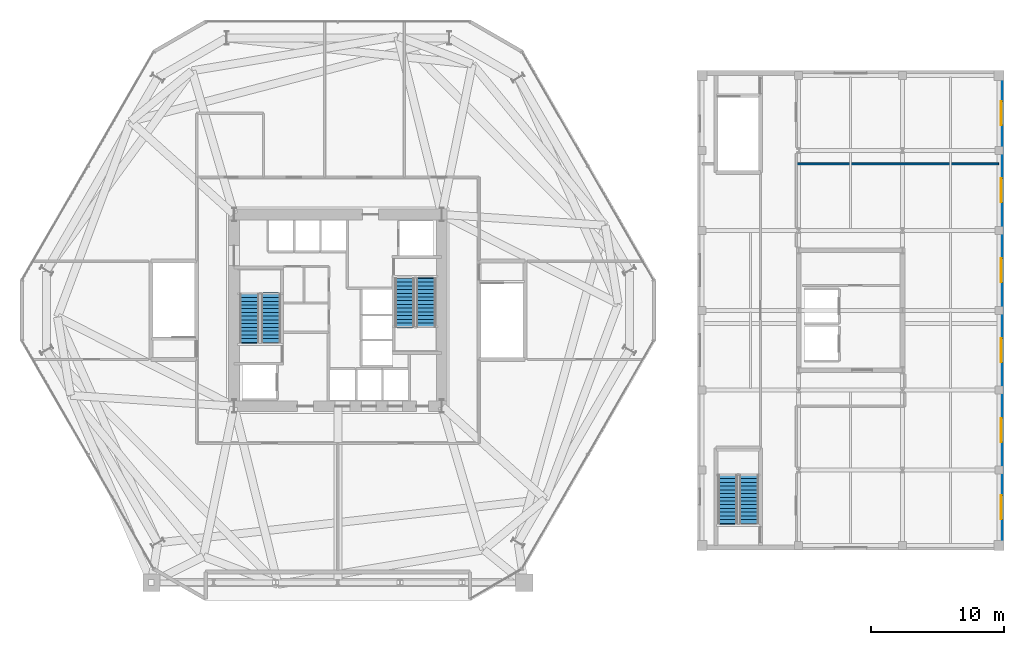
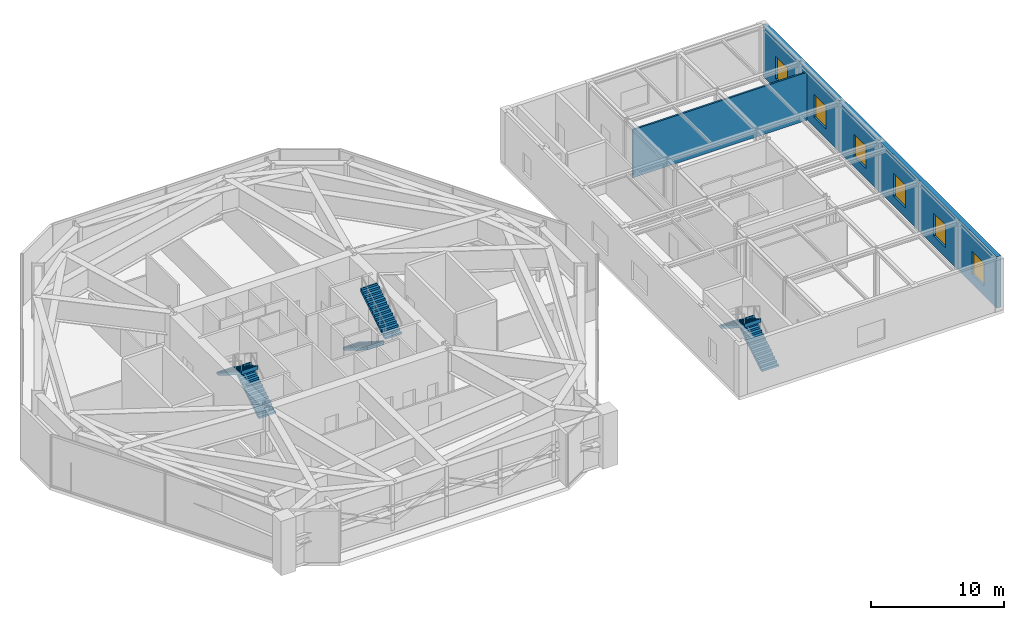
# One storey, part 14 of 16: 6 stair flights, 6 windows, 2 walls, 6 openings, 3 elements without a shape of their own.
"""IFC4 building model written with IfcOpenShell, lengths in metres."""

import ifcopenshell
import ifcopenshell.guid

model = None  # the IFC model being written
_history = None  # IfcOwnerHistory: only IFC2X3 demands one
_inside = {}  # id of a spatial element -> (the spatial element, [elements in it])
_under = {}  # id of a project, library or spatial element -> (it, [spatial elements below it])
_declared = {}  # id of a project -> (the project, [libraries it declares])
_typed = {}  # id of a type object -> (the type object, [elements of that type])
_made_of = {}  # id of a material, layer set ... -> (it, [elements and type objects made of it])


def new_model(schema):
    """Start an empty IFC model of exactly this schema.

    Asked for "IFC4X3", IfcOpenShell would pick the latest addendum, in which some entities
    have other attributes; the version numbers below select the first issue.
    IFC2X3 requires an IfcOwnerHistory on every rooted entity: one is made here for all.
    """
    global model, _history
    if schema == "IFC4X3":
        model = ifcopenshell.file(schema_version=(4, 3, 0, 0))
    else:
        model = ifcopenshell.file(schema=schema)
    _inside.clear()
    _under.clear()
    _declared.clear()
    _typed.clear()
    _made_of.clear()
    _history = None
    if model.schema == "IFC2X3":
        org = make("IfcOrganization", Name="unknown")
        user = make(
            "IfcPersonAndOrganization",
            ThePerson=make("IfcPerson", FamilyName="unknown"),
            TheOrganization=org,
        )
        app = make(
            "IfcApplication",
            ApplicationDeveloper=org,
            Version="unknown",
            ApplicationFullName="unknown",
            ApplicationIdentifier="unknown",
        )
        _history = make(
            "IfcOwnerHistory",
            OwningUser=user,
            OwningApplication=app,
            ChangeAction="ADDED",
            CreationDate=0,
        )
    return model


def make(cls, **values):
    """One entity of the class cls with the attributes given. An attribute that is None is left unset."""
    return model.create_entity(
        cls, **{name: value for name, value in values.items() if value is not None}
    )


def rooted(cls, **values):
    """An entity with a GlobalId (a new one), such as an element, a storey or a relation."""
    return make(cls, GlobalId=ifcopenshell.guid.new(), OwnerHistory=_history, **values)


def si_unit(unit_type, name, prefix=None):
    """IfcSIUnit, for example si_unit("LENGTHUNIT", "METRE", prefix="MILLI")."""
    return make("IfcSIUnit", UnitType=unit_type, Prefix=prefix, Name=name)


def assignment(units):
    """IfcUnitAssignment: the units of a project."""
    return None if units is None else make("IfcUnitAssignment", Units=units)


def point(xyz):
    """IfcCartesianPoint."""
    return None if xyz is None else make("IfcCartesianPoint", Coordinates=xyz)


def direction(xyz):
    """IfcDirection."""
    return None if xyz is None else make("IfcDirection", DirectionRatios=xyz)


def frame(location, z_axis=None, x_axis=None):
    """IfcAxis2Placement3D, a coordinate frame: its origin and axes. An axis left out is left unset."""
    return make(
        "IfcAxis2Placement3D",
        Location=point(location),
        Axis=direction(z_axis),
        RefDirection=direction(x_axis),
    )


def frame_2d(location, x_axis=None):
    """IfcAxis2Placement2D, a coordinate frame in the plane: its origin and x axis."""
    return make(
        "IfcAxis2Placement2D", Location=point(location), RefDirection=direction(x_axis)
    )


def origin():
    """The frame at (0, 0, 0) with its axes left unset."""
    return frame((0.0, 0.0, 0.0))


def place(relative_to, where):
    """IfcLocalPlacement: puts the frame where relative to a parent placement (None: the world)."""
    return make(
        "IfcLocalPlacement", PlacementRelTo=relative_to, RelativePlacement=where
    )


def context(
    kind, dimensions, precision=None, world=None, true_north=None, identifier=None
):
    """IfcGeometricRepresentationContext, for example the 3D "Model" context."""
    return make(
        "IfcGeometricRepresentationContext",
        ContextIdentifier=identifier,
        ContextType=kind,
        CoordinateSpaceDimension=dimensions,
        Precision=precision,
        WorldCoordinateSystem=world,
        TrueNorth=true_north,
    )


def subcontext(parent, identifier, kind, view, scale=None):
    """IfcGeometricRepresentationSubContext, for example "Body" below "Model"."""
    return make(
        "IfcGeometricRepresentationSubContext",
        ContextIdentifier=identifier,
        ContextType=kind,
        ParentContext=parent,
        TargetScale=scale,
        TargetView=view,
    )


def project(units=None, contexts=None):
    """IfcProject with its units and contexts."""
    return rooted(
        "IfcProject",
        Name="project",
        RepresentationContexts=contexts,
        UnitsInContext=assignment(units),
    )


def spatial(cls, under=None, at=None, **own):
    """A site, building, storey or space (cls), placed at a placement, below another one or the project."""
    s = rooted(cls, ObjectPlacement=at, **own)
    if under is not None:
        _under.setdefault(under.id(), (under, []))[1].append(s)
    return s


def polyline(points):
    """IfcPolyline through the points."""
    return make("IfcPolyline", Points=[point(p) for p in points])


def profile(cls, at=None, kind="AREA", **sizes):
    """A parametric profile (cls). Its sizes go by their IFC names, for example OverallWidth=200.0."""
    return make(cls, ProfileType=kind, Position=at, **sizes)


def rectangle(**sizes):
    """IfcRectangleProfileDef."""
    return profile("IfcRectangleProfileDef", **sizes)


def outline(outer, holes=None, kind="AREA"):
    """IfcArbitraryClosedProfileDef: a profile drawn as a closed curve; with holes, ...WithVoids."""
    if holes is None:
        return make("IfcArbitraryClosedProfileDef", ProfileType=kind, OuterCurve=outer)
    return make(
        "IfcArbitraryProfileDefWithVoids",
        ProfileType=kind,
        OuterCurve=outer,
        InnerCurves=holes,
    )


def extrude(swept, where, along, depth):
    """IfcExtrudedAreaSolid: the profile swept, set in the frame where, extruded along a direction by depth."""
    return make(
        "IfcExtrudedAreaSolid",
        SweptArea=swept,
        Position=where,
        ExtrudedDirection=direction(along),
        Depth=depth,
    )


def shape(context_of_items, identifier, shape_type, items):
    """IfcShapeRepresentation: the items that make up one representation, for example the "Body"."""
    return make(
        "IfcShapeRepresentation",
        ContextOfItems=context_of_items,
        RepresentationIdentifier=identifier,
        RepresentationType=shape_type,
        Items=items,
    )


def material(Name=None, Category=None):
    """IfcMaterial."""
    return make("IfcMaterial", Name=Name, Category=Category)


def layer(
    of_material, thickness, ventilated=None, Name=None, Category=None, Priority=None
):
    """IfcMaterialLayer: one layer of a wall or slab, of a material (None: an air gap)."""
    return make(
        "IfcMaterialLayer",
        Material=of_material,
        LayerThickness=thickness,
        IsVentilated=ventilated,
        Name=Name,
        Category=Category,
        Priority=Priority,
    )


def layer_set(layers, Name=None):
    """IfcMaterialLayerSet."""
    return make("IfcMaterialLayerSet", MaterialLayers=layers, LayerSetName=Name)


def made_of(thing, what):
    """Note that an element or type object is made of a material, layer set ...; save() writes the relation."""
    if what is not None:
        _made_of.setdefault(what.id(), (what, []))[1].append(thing)
    return thing


def type_object(cls, material=None, **own):
    """A type object (cls), such as IfcWallType, which elements share."""
    return made_of(rooted(cls, **own), material)


def element(
    cls,
    number,
    at=None,
    inside=None,
    cuts=None,
    type_object=None,
    material=None,
    context=None,
    identifier="Body",
    shape_type=None,
    held_by="IfcProductDefinitionShape",
    body=None,
    shapes=None,
    **own,
):
    """One element of the class cls, such as IfcWall. Its Tag is "e" and its number.

    at: its placement. inside: the storey or other place that contains it. cuts: it is an
    opening in that element (IfcRelVoidsElement). A single representation is given by context,
    identifier, shape_type and body (its items); several are given by shapes. held_by: the class
    of the entity that holds the representations. save() writes the other relations.
    """
    e = rooted(cls, Tag="e%d" % number, ObjectPlacement=at, **own)
    if body is not None:
        shapes = [shape(context, identifier, shape_type, body)]
    if shapes is not None:
        e.Representation = make(held_by, Representations=shapes)
    if inside is not None:
        _inside.setdefault(inside.id(), (inside, []))[1].append(e)
    if cuts is not None:
        rooted(
            "IfcRelVoidsElement", RelatingBuildingElement=cuts, RelatedOpeningElement=e
        )
    if type_object is not None:
        _typed.setdefault(type_object.id(), (type_object, []))[1].append(e)
    return made_of(e, material)


def fill(opening, filler):
    """IfcRelFillsElement: the door or window that sits in an opening."""
    return rooted(
        "IfcRelFillsElement",
        RelatingOpeningElement=opening,
        RelatedBuildingElement=filler,
    )


def aggregate(whole, parts):
    """IfcRelAggregates: a whole, such as a stair, and the parts it consists of."""
    return rooted("IfcRelAggregates", RelatingObject=whole, RelatedObjects=parts)


def save(model, path):
    """Write the relations noted so far, then the file.

    IfcRelAggregates (storeys below a building ...), IfcRelContainedInSpatialStructure (elements
    in a storey), IfcRelDefinesByType, IfcRelAssociatesMaterial and IfcRelDeclares: one each for
    every whole, place, type object, material and project.
    """
    for whole, parts in _under.values():
        aggregate(whole, parts)
    for where, things in _inside.values():
        rooted(
            "IfcRelContainedInSpatialStructure",
            RelatedElements=things,
            RelatingStructure=where,
        )
    for kind, things in _typed.values():
        rooted("IfcRelDefinesByType", RelatedObjects=things, RelatingType=kind)
    for what, things in _made_of.values():
        rooted("IfcRelAssociatesMaterial", RelatedObjects=things, RelatingMaterial=what)
    for by, libraries in _declared.values():
        rooted("IfcRelDeclares", RelatingContext=by, RelatedDefinitions=libraries)
    model.write(path)


model = new_model("IFC4")

# Units and contexts
model_context = context("Model", 3, precision=1e-05, world=origin(), true_north=direction((0.0, 1.0)))
body_context = subcontext(model_context, "Body", "Model", "MODEL_VIEW")
ifc_project = project(units=[si_unit("LENGTHUNIT", "METRE"), si_unit("AREAUNIT", "SQUARE_METRE"), si_unit("VOLUMEUNIT", "CUBIC_METRE"), si_unit("PLANEANGLEUNIT", "RADIAN"), si_unit("MASSUNIT", "GRAM", prefix="KILO")], contexts=[model_context])

# Site, building, storey
site_placement = place(None, origin())
site = spatial("IfcSite", under=ifc_project, at=site_placement, CompositionType="ELEMENT")
building_placement = place(site_placement, origin())
building = spatial("IfcBuilding", under=site, at=building_placement, Name="Kranzbogen Civic Tower", CompositionType="ELEMENT")
storey_placement = place(building_placement, frame((0.0, 0.0, 19.0)))
storey = spatial("IfcBuildingStorey", under=building, at=storey_placement, Name="L04", CompositionType="ELEMENT", Elevation=19.0)

# Wall
ifc_material_1 = material(Name="Double-Stud Acoustic Gypsum Partition")
ifc_layer_1 = layer(ifc_material_1, 0.14990234375, Name="Double-Stud Acoustic Gypsum Partition")
ifc_layer_set_1 = layer_set([ifc_layer_1], Name="Double-Stud Acoustic Gypsum Partition")
wall_type_1 = type_object("IfcWallType", Name="Acoustic Corridor and Clinical Partition 150 mm", PredefinedType="PARTITIONING", material=ifc_layer_set_1)
wall_1_placement = place(storey_placement, frame((59.455078125, 36.0, 0.0), z_axis=(0.0, 0.0, 1.0), x_axis=(1.0, 0.0, 0.0)))
element("IfcWall", 1, at=wall_1_placement, inside=storey, type_object=wall_type_1, Name="L04 clinical partition 04", PredefinedType="PARTITIONING", context=body_context, shape_type="SweptSolid", body=[
    extrude(rectangle(XDim=15.1650390625, YDim=0.14990234375, at=frame_2d((7.58251953125, 0.0))), origin(), (0.0, 0.0, 1.0), 4.409912109375),
])

# Wall, openings, windows
ifc_material_2 = material(Name="Precast concrete C40/50", Category="concrete")
ifc_layer_2 = layer(ifc_material_2, 0.3798828125, Name="Precast concrete C40/50")
ifc_layer_set_2 = layer_set([ifc_layer_2], Name="Precast concrete C40/50")
wall_type_2 = type_object("IfcWallType", Name="Health Centre Insulated Precast Facade Wall 380 mm", PredefinedType="STANDARD", material=ifc_layer_set_2)
wall_2_placement = place(storey_placement, frame((74.81005859375, 42.6201171875, 0.0), z_axis=(0.0, 0.0, 1.0), x_axis=(0.0, -1.0, 0.0)))
wall_2 = element("IfcWall", 2, at=wall_2_placement, inside=storey, type_object=wall_type_2, Name="L04 Health Centre East facade wall", PredefinedType="STANDARD", context=body_context, shape_type="SweptSolid", body=[
    extrude(rectangle(XDim=35.240234375, YDim=0.3798828125, at=frame_2d((17.6201171875, 0.0))), origin(), (0.0, 0.0, 1.0), 4.72998046875),
])
opening_1_placement = place(wall_2_placement, frame((31.52001953125, 0.0, 0.89990234375)))
opening_1 = element("IfcOpeningElement", 3, at=opening_1_placement, cuts=wall_2, Name="Opening W-HC04", PredefinedType="OPENING", context=body_context, shape_type="SweptSolid", body=[
    extrude(rectangle(XDim=1.800048828125, YDim=2.10009765625, at=frame_2d((0.89990234375, 1.050048828125))), frame((0.0, 0.199951171875, 0.0), z_axis=(0.0, -1.0, 0.0), x_axis=(1.0, 0.0, 0.0)), (0.0, 0.0, 1.0), 0.39990234375),
])
opening_2_placement = place(wall_2_placement, frame((25.719970703125, 0.0, 0.89990234375)))
opening_2 = element("IfcOpeningElement", 4, at=opening_2_placement, cuts=wall_2, Name="Opening W-HC04", PredefinedType="OPENING", context=body_context, shape_type="SweptSolid", body=[
    extrude(rectangle(XDim=1.800048828125, YDim=2.10009765625, at=frame_2d((0.89990234375, 1.050048828125))), frame((0.0, 0.199951171875, 0.0), z_axis=(0.0, -1.0, 0.0), x_axis=(1.0, 0.0, 0.0)), (0.0, 0.0, 1.0), 0.39990234375),
])
opening_3_placement = place(wall_2_placement, frame((19.719970703125, 0.0, 0.89990234375)))
opening_3 = element("IfcOpeningElement", 5, at=opening_3_placement, cuts=wall_2, Name="Opening W-HC04", PredefinedType="OPENING", context=body_context, shape_type="SweptSolid", body=[
    extrude(rectangle(XDim=1.800048828125, YDim=2.10009765625, at=frame_2d((0.89990234375, 1.050048828125))), frame((0.0, 0.199951171875, 0.0), z_axis=(0.0, -1.0, 0.0), x_axis=(1.0, 0.0, 0.0)), (0.0, 0.0, 1.0), 0.39990234375),
])
opening_4_placement = place(wall_2_placement, frame((13.719970703125, 0.0, 0.89990234375)))
opening_4 = element("IfcOpeningElement", 6, at=opening_4_placement, cuts=wall_2, Name="Opening W-HC04", PredefinedType="OPENING", context=body_context, shape_type="SweptSolid", body=[
    extrude(rectangle(XDim=1.800048828125, YDim=2.10009765625, at=frame_2d((0.89990234375, 1.050048828125))), frame((0.0, 0.199951171875, 0.0), z_axis=(0.0, -1.0, 0.0), x_axis=(1.0, 0.0, 0.0)), (0.0, 0.0, 1.0), 0.39990234375),
])
opening_5_placement = place(wall_2_placement, frame((7.719970703125, 0.0, 0.89990234375)))
opening_5 = element("IfcOpeningElement", 7, at=opening_5_placement, cuts=wall_2, Name="Opening W-HC04", PredefinedType="OPENING", context=body_context, shape_type="SweptSolid", body=[
    extrude(rectangle(XDim=1.800048828125, YDim=2.10009765625, at=frame_2d((0.89990234375, 1.050048828125))), frame((0.0, 0.199951171875, 0.0), z_axis=(0.0, -1.0, 0.0), x_axis=(1.0, 0.0, 0.0)), (0.0, 0.0, 1.0), 0.39990234375),
])
opening_6_placement = place(wall_2_placement, frame((1.919921875, 0.0, 0.89990234375)))
opening_6 = element("IfcOpeningElement", 8, at=opening_6_placement, cuts=wall_2, Name="Opening W-HC04", PredefinedType="OPENING", context=body_context, shape_type="SweptSolid", body=[
    extrude(rectangle(XDim=1.800048828125, YDim=2.10009765625, at=frame_2d((0.89990234375, 1.050048828125))), frame((0.0, 0.199951171875, 0.0), z_axis=(0.0, -1.0, 0.0), x_axis=(1.0, 0.0, 0.0)), (0.0, 0.0, 1.0), 0.39990234375),
])
ifc_material_3 = material(Name="Low-E Triple Glazing Glass", Category="glass")
window_type = type_object("IfcWindowType", Name="Day-Procedure Tall Window 1800x2100", PartitioningType="DOUBLE_PANEL_VERTICAL", PredefinedType="WINDOW", material=ifc_material_3)
window_1_placement = place(opening_1_placement, origin())
window_1 = element("IfcWindow", 9, at=window_1_placement, inside=storey, type_object=window_type, Name="L04 Health Centre East bay 1 window", OverallHeight=2.10009765625, OverallWidth=1.800048828125, PartitioningType="DOUBLE_PANEL_VERTICAL", PredefinedType="WINDOW", context=body_context, shape_type="SweptSolid", body=[
    extrude(rectangle(XDim=1.800048828125, YDim=2.10009765625, at=frame_2d((0.89990234375, 1.050048828125))), frame((0.0, 0.030029296875, 0.0), z_axis=(0.0, -1.0, 0.0), x_axis=(1.0, 0.0, 0.0)), (0.0, 0.0, 1.0), 0.06005859375),
])
fill(opening_1, window_1)
window_2_placement = place(opening_2_placement, origin())
window_2 = element("IfcWindow", 10, at=window_2_placement, inside=storey, type_object=window_type, Name="L04 Health Centre East bay 2 window", OverallHeight=2.10009765625, OverallWidth=1.800048828125, PartitioningType="DOUBLE_PANEL_VERTICAL", PredefinedType="WINDOW", context=body_context, shape_type="SweptSolid", body=[
    extrude(rectangle(XDim=1.800048828125, YDim=2.10009765625, at=frame_2d((0.89990234375, 1.050048828125))), frame((0.0, 0.030029296875, 0.0), z_axis=(0.0, -1.0, 0.0), x_axis=(1.0, 0.0, 0.0)), (0.0, 0.0, 1.0), 0.06005859375),
])
fill(opening_2, window_2)
window_3_placement = place(opening_3_placement, origin())
window_3 = element("IfcWindow", 11, at=window_3_placement, inside=storey, type_object=window_type, Name="L04 Health Centre East bay 3 window", OverallHeight=2.10009765625, OverallWidth=1.800048828125, PartitioningType="DOUBLE_PANEL_VERTICAL", PredefinedType="WINDOW", context=body_context, shape_type="SweptSolid", body=[
    extrude(rectangle(XDim=1.800048828125, YDim=2.10009765625, at=frame_2d((0.89990234375, 1.050048828125))), frame((0.0, 0.030029296875, 0.0), z_axis=(0.0, -1.0, 0.0), x_axis=(1.0, 0.0, 0.0)), (0.0, 0.0, 1.0), 0.06005859375),
])
fill(opening_3, window_3)
window_4_placement = place(opening_4_placement, origin())
window_4 = element("IfcWindow", 12, at=window_4_placement, inside=storey, type_object=window_type, Name="L04 Health Centre East bay 4 window", OverallHeight=2.10009765625, OverallWidth=1.800048828125, PartitioningType="DOUBLE_PANEL_VERTICAL", PredefinedType="WINDOW", context=body_context, shape_type="SweptSolid", body=[
    extrude(rectangle(XDim=1.800048828125, YDim=2.10009765625, at=frame_2d((0.89990234375, 1.050048828125))), frame((0.0, 0.030029296875, 0.0), z_axis=(0.0, -1.0, 0.0), x_axis=(1.0, 0.0, 0.0)), (0.0, 0.0, 1.0), 0.06005859375),
])
fill(opening_4, window_4)
window_5_placement = place(opening_5_placement, origin())
window_5 = element("IfcWindow", 13, at=window_5_placement, inside=storey, type_object=window_type, Name="L04 Health Centre East bay 5 window", OverallHeight=2.10009765625, OverallWidth=1.800048828125, PartitioningType="DOUBLE_PANEL_VERTICAL", PredefinedType="WINDOW", context=body_context, shape_type="SweptSolid", body=[
    extrude(rectangle(XDim=1.800048828125, YDim=2.10009765625, at=frame_2d((0.89990234375, 1.050048828125))), frame((0.0, 0.030029296875, 0.0), z_axis=(0.0, -1.0, 0.0), x_axis=(1.0, 0.0, 0.0)), (0.0, 0.0, 1.0), 0.06005859375),
])
fill(opening_5, window_5)
window_6_placement = place(opening_6_placement, origin())
window_6 = element("IfcWindow", 14, at=window_6_placement, inside=storey, type_object=window_type, Name="L04 Health Centre East bay 6 window", OverallHeight=2.10009765625, OverallWidth=1.800048828125, PartitioningType="DOUBLE_PANEL_VERTICAL", PredefinedType="WINDOW", context=body_context, shape_type="SweptSolid", body=[
    extrude(rectangle(XDim=1.800048828125, YDim=2.10009765625, at=frame_2d((0.89990234375, 1.050048828125))), frame((0.0, 0.030029296875, 0.0), z_axis=(0.0, -1.0, 0.0), x_axis=(1.0, 0.0, 0.0)), (0.0, 0.0, 1.0), 0.06005859375),
])
fill(opening_6, window_6)

# Stair, stair flights
stair_type_1 = type_object("IfcStairType", Name="Tower Core Pressurized Dogleg Stair 1450", PredefinedType="HALF_TURN_STAIR", material=ifc_material_2)
stair_1_placement = place(storey_placement, origin())
stair_1 = element("IfcStair", 15, at=stair_1_placement, inside=storey, type_object=stair_type_1, Name="L04 Tower Core Pressurized Stair 1", PredefinedType="HALF_TURN_STAIR")
stair_flight_type = type_object("IfcStairFlightType", Name="Precast Concrete Stair Flight R179", PredefinedType="STRAIGHT", material=ifc_material_2)
stair_flight_1_placement = place(storey_placement, frame((19.97509765625, 22.60009765625, 0.0), z_axis=(0.0, 0.0, 1.0), x_axis=(0.0, 1.0, 0.0)))
stair_flight_1 = element("IfcStairFlight", 16, at=stair_flight_1_placement, type_object=stair_flight_type, Name="ST-T1 flight 1", NumberOfRisers=14, NumberOfTreads=13, PredefinedType="STRAIGHT", RiserHeight=0.178571429, TreadLength=0.28, context=body_context, shape_type="SweptSolid", body=[
    extrude(outline(polyline([(0.0, 0.0), (0.0, 0.178466796875), (0.280029296875, 0.178466796875), (0.280029296875, 0.357177734375), (0.56005859375, 0.357177734375), (0.56005859375, 0.53564453125), (0.840087890625, 0.53564453125), (0.840087890625, 0.71435546875), (1.1201171875, 0.71435546875), (1.1201171875, 0.892822265625), (1.39990234375, 0.892822265625), (1.39990234375, 1.071533203125), (1.679931640625, 1.071533203125), (1.679931640625, 1.25), (1.9599609375, 1.25), (1.9599609375, 1.428466796875), (2.239990234375, 1.428466796875), (2.239990234375, 1.607177734375), (2.52001953125, 1.607177734375), (2.52001953125, 1.78564453125), (2.800048828125, 1.78564453125), (2.800048828125, 1.96435546875), (3.080078125, 1.96435546875), (3.080078125, 2.142822265625), (3.360107421875, 2.142822265625), (3.360107421875, 2.321533203125), (3.639892578125, 2.321533203125), (3.639892578125, 2.5), (3.719970703125, 2.5), (3.719970703125, 2.1435546875), (0.27880859375, 0.0), (0.0, 0.0)])), frame((0.0, 0.72509765625, 0.0), z_axis=(0.0, -1.0, 0.0), x_axis=(1.0, 0.0, 0.0)), (0.0, 0.0, 1.0), 1.449951171875),
])
stair_flight_2_placement = place(storey_placement, frame((18.375, 26.239990234375, 2.5), z_axis=(0.0, 0.0, 1.0), x_axis=(0.0, -1.0, 0.0)))
stair_flight_2 = element("IfcStairFlight", 17, at=stair_flight_2_placement, type_object=stair_flight_type, Name="ST-T1 flight 2", NumberOfRisers=14, NumberOfTreads=13, PredefinedType="STRAIGHT", RiserHeight=0.178571429, TreadLength=0.28, context=body_context, shape_type="SweptSolid", body=[
    extrude(outline(polyline([(0.0, 0.0), (0.0, 0.178466796875), (0.280029296875, 0.178466796875), (0.280029296875, 0.357177734375), (0.56005859375, 0.357177734375), (0.56005859375, 0.53564453125), (0.840087890625, 0.53564453125), (0.840087890625, 0.71435546875), (1.1201171875, 0.71435546875), (1.1201171875, 0.892822265625), (1.39990234375, 0.892822265625), (1.39990234375, 1.071533203125), (1.679931640625, 1.071533203125), (1.679931640625, 1.25), (1.9599609375, 1.25), (1.9599609375, 1.428466796875), (2.239990234375, 1.428466796875), (2.239990234375, 1.607177734375), (2.52001953125, 1.607177734375), (2.52001953125, 1.78564453125), (2.800048828125, 1.78564453125), (2.800048828125, 1.96435546875), (3.080078125, 1.96435546875), (3.080078125, 2.142822265625), (3.360107421875, 2.142822265625), (3.360107421875, 2.321533203125), (3.639892578125, 2.321533203125), (3.639892578125, 2.5), (3.719970703125, 2.5), (3.719970703125, 2.1435546875), (0.27880859375, 0.0), (0.0, 0.0)])), frame((0.0, 0.72509765625, 0.0), z_axis=(0.0, -1.0, 0.0), x_axis=(1.0, 0.0, 0.0)), (0.0, 0.0, 1.0), 1.449951171875),
])
aggregate(stair_1, [stair_flight_1, stair_flight_2])

stair_type_2 = type_object("IfcStairType", Name="Tower Core Secondary Dogleg Stair 1450", PredefinedType="HALF_TURN_STAIR", material=ifc_material_2)
stair_2_placement = place(storey_placement, origin())
stair_2 = element("IfcStair", 18, at=stair_2_placement, inside=storey, type_object=stair_type_2, Name="L04 Tower Core Pressurized Stair 2", PredefinedType="HALF_TURN_STAIR")
stair_flight_3_placement = place(storey_placement, frame((30.02490234375, 27.39990234375, 0.0), z_axis=(0.0, 0.0, 1.0), x_axis=(0.0, -1.0, 0.0)))
stair_flight_3 = element("IfcStairFlight", 19, at=stair_flight_3_placement, type_object=stair_flight_type, Name="ST-T2 flight 1", NumberOfRisers=14, NumberOfTreads=13, PredefinedType="STRAIGHT", RiserHeight=0.178571429, TreadLength=0.28, context=body_context, shape_type="SweptSolid", body=[
    extrude(outline(polyline([(0.0, 0.0), (0.0, 0.178466796875), (0.280029296875, 0.178466796875), (0.280029296875, 0.357177734375), (0.56005859375, 0.357177734375), (0.56005859375, 0.53564453125), (0.840087890625, 0.53564453125), (0.840087890625, 0.71435546875), (1.1201171875, 0.71435546875), (1.1201171875, 0.892822265625), (1.39990234375, 0.892822265625), (1.39990234375, 1.071533203125), (1.679931640625, 1.071533203125), (1.679931640625, 1.25), (1.9599609375, 1.25), (1.9599609375, 1.428466796875), (2.239990234375, 1.428466796875), (2.239990234375, 1.607177734375), (2.52001953125, 1.607177734375), (2.52001953125, 1.78564453125), (2.800048828125, 1.78564453125), (2.800048828125, 1.96435546875), (3.080078125, 1.96435546875), (3.080078125, 2.142822265625), (3.360107421875, 2.142822265625), (3.360107421875, 2.321533203125), (3.639892578125, 2.321533203125), (3.639892578125, 2.5), (3.719970703125, 2.5), (3.719970703125, 2.1435546875), (0.27880859375, 0.0), (0.0, 0.0)])), frame((0.0, 0.72509765625, 0.0), z_axis=(0.0, -1.0, 0.0), x_axis=(1.0, 0.0, 0.0)), (0.0, 0.0, 1.0), 1.449951171875),
])
stair_flight_4_placement = place(storey_placement, frame((31.625, 23.760009765625, 2.5), z_axis=(0.0, 0.0, 1.0), x_axis=(0.0, 1.0, 0.0)))
stair_flight_4 = element("IfcStairFlight", 20, at=stair_flight_4_placement, type_object=stair_flight_type, Name="ST-T2 flight 2", NumberOfRisers=14, NumberOfTreads=13, PredefinedType="STRAIGHT", RiserHeight=0.178571429, TreadLength=0.28, context=body_context, shape_type="SweptSolid", body=[
    extrude(outline(polyline([(0.0, 0.0), (0.0, 0.178466796875), (0.280029296875, 0.178466796875), (0.280029296875, 0.357177734375), (0.56005859375, 0.357177734375), (0.56005859375, 0.53564453125), (0.840087890625, 0.53564453125), (0.840087890625, 0.71435546875), (1.1201171875, 0.71435546875), (1.1201171875, 0.892822265625), (1.39990234375, 0.892822265625), (1.39990234375, 1.071533203125), (1.679931640625, 1.071533203125), (1.679931640625, 1.25), (1.9599609375, 1.25), (1.9599609375, 1.428466796875), (2.239990234375, 1.428466796875), (2.239990234375, 1.607177734375), (2.52001953125, 1.607177734375), (2.52001953125, 1.78564453125), (2.800048828125, 1.78564453125), (2.800048828125, 1.96435546875), (3.080078125, 1.96435546875), (3.080078125, 2.142822265625), (3.360107421875, 2.142822265625), (3.360107421875, 2.321533203125), (3.639892578125, 2.321533203125), (3.639892578125, 2.5), (3.719970703125, 2.5), (3.719970703125, 2.1435546875), (0.27880859375, 0.0), (0.0, 0.0)])), frame((0.0, 0.72509765625, 0.0), z_axis=(0.0, -1.0, 0.0), x_axis=(1.0, 0.0, 0.0)), (0.0, 0.0, 1.0), 1.449951171875),
])
aggregate(stair_2, [stair_flight_3, stair_flight_4])

stair_type_3 = type_object("IfcStairType", Name="Health Centre Escape Dogleg Stair 1450", PredefinedType="HALF_TURN_STAIR", material=ifc_material_2)
stair_3_placement = place(storey_placement, origin())
stair_3 = element("IfcStair", 21, at=stair_3_placement, inside=storey, type_object=stair_type_3, Name="L04 Health Centre Escape Stair 1", PredefinedType="HALF_TURN_STAIR")
stair_flight_5_placement = place(storey_placement, frame((55.875, 9.0, 0.0), z_axis=(0.0, 0.0, 1.0), x_axis=(0.0, 1.0, 0.0)))
stair_flight_5 = element("IfcStairFlight", 22, at=stair_flight_5_placement, type_object=stair_flight_type, Name="ST-H1 flight 1", NumberOfRisers=14, NumberOfTreads=13, PredefinedType="STRAIGHT", RiserHeight=0.178571429, TreadLength=0.28, context=body_context, shape_type="SweptSolid", body=[
    extrude(outline(polyline([(0.0, 0.0), (0.0, 0.178466796875), (0.280029296875, 0.178466796875), (0.280029296875, 0.357177734375), (0.56005859375, 0.357177734375), (0.56005859375, 0.53564453125), (0.840087890625, 0.53564453125), (0.840087890625, 0.71435546875), (1.1201171875, 0.71435546875), (1.1201171875, 0.892822265625), (1.39990234375, 0.892822265625), (1.39990234375, 1.071533203125), (1.679931640625, 1.071533203125), (1.679931640625, 1.25), (1.9599609375, 1.25), (1.9599609375, 1.428466796875), (2.239990234375, 1.428466796875), (2.239990234375, 1.607177734375), (2.52001953125, 1.607177734375), (2.52001953125, 1.78564453125), (2.800048828125, 1.78564453125), (2.800048828125, 1.96435546875), (3.080078125, 1.96435546875), (3.080078125, 2.142822265625), (3.360107421875, 2.142822265625), (3.360107421875, 2.321533203125), (3.639892578125, 2.321533203125), (3.639892578125, 2.5), (3.719970703125, 2.5), (3.719970703125, 2.1435546875), (0.27880859375, 0.0), (0.0, 0.0)])), frame((0.0, 0.72509765625, 0.0), z_axis=(0.0, -1.0, 0.0), x_axis=(1.0, 0.0, 0.0)), (0.0, 0.0, 1.0), 1.449951171875),
])
stair_flight_6_placement = place(storey_placement, frame((54.27490234375, 12.639892578125, 2.5), z_axis=(0.0, 0.0, 1.0), x_axis=(0.0, -1.0, 0.0)))
stair_flight_6 = element("IfcStairFlight", 23, at=stair_flight_6_placement, type_object=stair_flight_type, Name="ST-H1 flight 2", NumberOfRisers=14, NumberOfTreads=13, PredefinedType="STRAIGHT", RiserHeight=0.178571429, TreadLength=0.28, context=body_context, shape_type="SweptSolid", body=[
    extrude(outline(polyline([(0.0, 0.0), (0.0, 0.178466796875), (0.280029296875, 0.178466796875), (0.280029296875, 0.357177734375), (0.56005859375, 0.357177734375), (0.56005859375, 0.53564453125), (0.840087890625, 0.53564453125), (0.840087890625, 0.71435546875), (1.1201171875, 0.71435546875), (1.1201171875, 0.892822265625), (1.39990234375, 0.892822265625), (1.39990234375, 1.071533203125), (1.679931640625, 1.071533203125), (1.679931640625, 1.25), (1.9599609375, 1.25), (1.9599609375, 1.428466796875), (2.239990234375, 1.428466796875), (2.239990234375, 1.607177734375), (2.52001953125, 1.607177734375), (2.52001953125, 1.78564453125), (2.800048828125, 1.78564453125), (2.800048828125, 1.96435546875), (3.080078125, 1.96435546875), (3.080078125, 2.142822265625), (3.360107421875, 2.142822265625), (3.360107421875, 2.321533203125), (3.639892578125, 2.321533203125), (3.639892578125, 2.5), (3.719970703125, 2.5), (3.719970703125, 2.1435546875), (0.27880859375, 0.0), (0.0, 0.0)])), frame((0.0, 0.72509765625, 0.0), z_axis=(0.0, -1.0, 0.0), x_axis=(1.0, 0.0, 0.0)), (0.0, 0.0, 1.0), 1.449951171875),
])
aggregate(stair_3, [stair_flight_5, stair_flight_6])

save(model, "model.ifc")
